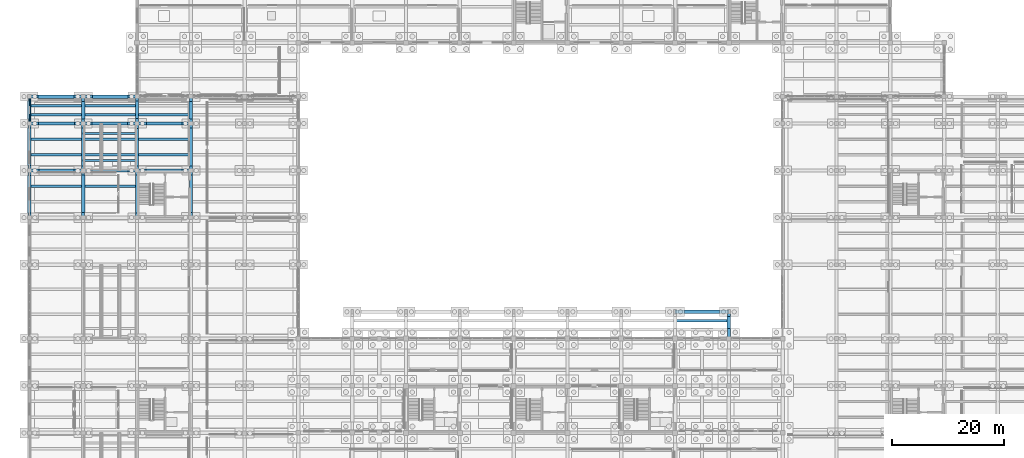
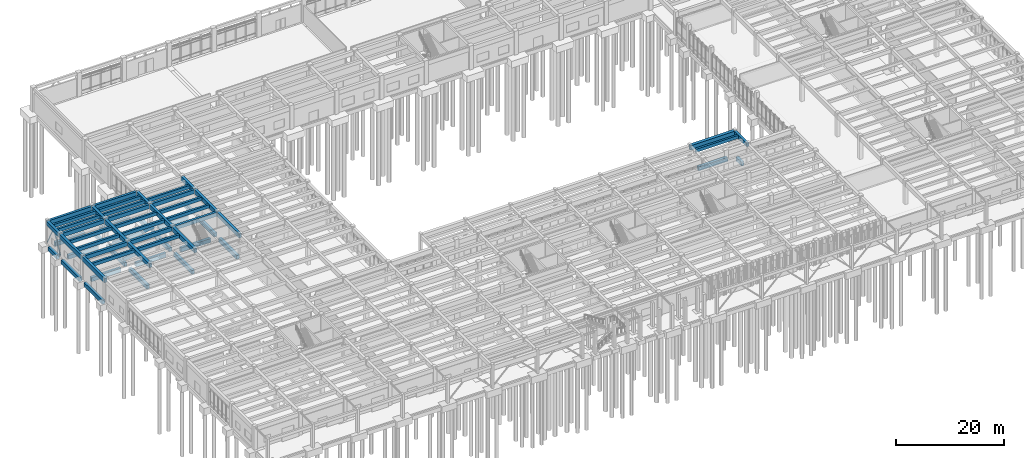
# One storey, part 28 of 102: 60 beams, 2 members.
"""IFC4 building model written with IfcOpenShell, lengths in metres."""

from ifc_helpers import new_model, si_unit, direction, frame, origin, origin_2d, place, context, subcontext, project, spatial, rectangle, hollow_rectangle, extrude, material, material_profile, profile_set, type_object, element, save


model = new_model("IFC4")

# Units and contexts
model_context = context("Model", 3, precision=1e-05, world=origin(), true_north=direction((0.0, 1.0)))
body_context = subcontext(model_context, "Body", "Model", "MODEL_VIEW")
ifc_project = project(units=[si_unit("LENGTHUNIT", "METRE"), si_unit("AREAUNIT", "SQUARE_METRE"), si_unit("VOLUMEUNIT", "CUBIC_METRE"), si_unit("PLANEANGLEUNIT", "RADIAN"), si_unit("MASSUNIT", "GRAM", prefix="KILO")], contexts=[model_context])

# Site, building, storey
site_placement = place(None, origin())
site = spatial("IfcSite", under=ifc_project, at=site_placement, CompositionType="ELEMENT")
building_placement = place(site_placement, origin())
building = spatial("IfcBuilding", under=site, at=building_placement, Name="Kolvemor Railside Polytechnic", CompositionType="ELEMENT")
storey_placement = place(building_placement, origin())
storey = spatial("IfcBuildingStorey", under=building, at=storey_placement, Name="L00", CompositionType="ELEMENT", Elevation=0.0)

# Beams
ifc_material_1 = material(Name="Concrete C40/50", Category="concrete")
ifc_material_profile_1 = material_profile(ifc_material_1, rectangle(XDim=0.550048828125, YDim=0.949951171875, at=origin_2d()), Name="RC550x950")
ifc_profile_set_1 = profile_set([ifc_material_profile_1], Name="Concrete C40/50")
beam_type_1 = type_object("IfcBeamType", Name="BM-RC-GIRD", PredefinedType="BEAM", material=ifc_profile_set_1)
beam_1_placement = place(storey_placement, frame((0.0, 60.0, 4.635009765625), z_axis=(0.0, 1.0, 0.0), x_axis=(-1.0, 0.0, 0.0)))
element("IfcBeam", 1, at=beam_1_placement, inside=storey, type_object=beam_type_1, Name="Primary Girder L01-GY 0057", PredefinedType="BEAM", context=body_context, shape_type="SweptSolid", body=[
    extrude(rectangle(XDim=0.550048828125, YDim=0.949951171875, at=origin_2d()), origin(), (0.0, 0.0, 1.0), 8.39990234375),
])
beam_2_placement = place(storey_placement, frame((0.0, 68.39990234375, 4.635009765625), z_axis=(0.0, 1.0, 0.0), x_axis=(-1.0, 0.0, 0.0)))
element("IfcBeam", 2, at=beam_2_placement, inside=storey, type_object=beam_type_1, Name="Primary Girder L01-GY 0058", PredefinedType="BEAM", context=body_context, shape_type="SweptSolid", body=[
    extrude(rectangle(XDim=0.550048828125, YDim=0.949951171875, at=origin_2d()), origin(), (0.0, 0.0, 1.0), 8.400146484375),
])
beam_3_placement = place(storey_placement, frame((0.0, 76.800048828125, 4.635009765625), z_axis=(0.0, 1.0, 0.0), x_axis=(-1.0, 0.0, 0.0)))
element("IfcBeam", 3, at=beam_3_placement, inside=storey, type_object=beam_type_1, Name="Primary Girder L01-GY 0059", PredefinedType="BEAM", context=body_context, shape_type="SweptSolid", body=[
    extrude(rectangle(XDim=0.550048828125, YDim=0.949951171875, at=origin_2d()), origin(), (0.0, 0.0, 1.0), 4.800048828125),
])
beam_4_placement = place(storey_placement, frame((9.60009765625, 60.0, 4.635009765625), z_axis=(0.0, 1.0, 0.0), x_axis=(-1.0, 0.0, 0.0)))
element("IfcBeam", 4, at=beam_4_placement, inside=storey, type_object=beam_type_1, Name="Primary Girder L01-GY 0066", PredefinedType="BEAM", context=body_context, shape_type="SweptSolid", body=[
    extrude(rectangle(XDim=0.550048828125, YDim=0.949951171875, at=origin_2d()), origin(), (0.0, 0.0, 1.0), 8.39990234375),
])
beam_5_placement = place(storey_placement, frame((9.60009765625, 68.39990234375, 4.635009765625), z_axis=(0.0, 1.0, 0.0), x_axis=(-1.0, 0.0, 0.0)))
element("IfcBeam", 5, at=beam_5_placement, inside=storey, type_object=beam_type_1, Name="Primary Girder L01-GY 0067", PredefinedType="BEAM", context=body_context, shape_type="SweptSolid", body=[
    extrude(rectangle(XDim=0.550048828125, YDim=0.949951171875, at=origin_2d()), origin(), (0.0, 0.0, 1.0), 8.400146484375),
])
beam_6_placement = place(storey_placement, frame((9.60009765625, 76.800048828125, 4.635009765625), z_axis=(0.0, 1.0, 0.0), x_axis=(-1.0, 0.0, 0.0)))
element("IfcBeam", 6, at=beam_6_placement, inside=storey, type_object=beam_type_1, Name="Primary Girder L01-GY 0068", PredefinedType="BEAM", context=body_context, shape_type="SweptSolid", body=[
    extrude(rectangle(XDim=0.550048828125, YDim=0.949951171875, at=origin_2d()), origin(), (0.0, 0.0, 1.0), 4.800048828125),
])
beam_7_placement = place(storey_placement, frame((19.199951171875, 60.0, 4.635009765625), z_axis=(0.0, 1.0, 0.0), x_axis=(-1.0, 0.0, 0.0)))
element("IfcBeam", 7, at=beam_7_placement, inside=storey, type_object=beam_type_1, Name="Primary Girder L01-GY 0075", PredefinedType="BEAM", context=body_context, shape_type="SweptSolid", body=[
    extrude(rectangle(XDim=0.550048828125, YDim=0.949951171875, at=origin_2d()), origin(), (0.0, 0.0, 1.0), 8.39990234375),
])
beam_8_placement = place(storey_placement, frame((19.199951171875, 68.39990234375, 4.635009765625), z_axis=(0.0, 1.0, 0.0), x_axis=(-1.0, 0.0, 0.0)))
element("IfcBeam", 8, at=beam_8_placement, inside=storey, type_object=beam_type_1, Name="Primary Girder L01-GY 0076", PredefinedType="BEAM", context=body_context, shape_type="SweptSolid", body=[
    extrude(rectangle(XDim=0.550048828125, YDim=0.949951171875, at=origin_2d()), origin(), (0.0, 0.0, 1.0), 8.400146484375),
])
beam_9_placement = place(storey_placement, frame((19.199951171875, 76.800048828125, 4.635009765625), z_axis=(0.0, 1.0, 0.0), x_axis=(-1.0, 0.0, 0.0)))
element("IfcBeam", 9, at=beam_9_placement, inside=storey, type_object=beam_type_1, Name="Primary Girder L01-GY 0077", PredefinedType="BEAM", context=body_context, shape_type="SweptSolid", body=[
    extrude(rectangle(XDim=0.550048828125, YDim=0.949951171875, at=origin_2d()), origin(), (0.0, 0.0, 1.0), 4.800048828125),
])
beam_10_placement = place(storey_placement, frame((28.800048828125, 60.0, 4.635009765625), z_axis=(0.0, 1.0, 0.0), x_axis=(-1.0, 0.0, 0.0)))
element("IfcBeam", 10, at=beam_10_placement, inside=storey, type_object=beam_type_1, Name="Primary Girder L01-GY 0084", PredefinedType="BEAM", context=body_context, shape_type="SweptSolid", body=[
    extrude(rectangle(XDim=0.550048828125, YDim=0.949951171875, at=origin_2d()), origin(), (0.0, 0.0, 1.0), 8.39990234375),
])
beam_11_placement = place(storey_placement, frame((28.800048828125, 68.39990234375, 4.635009765625), z_axis=(0.0, 1.0, 0.0), x_axis=(-1.0, 0.0, 0.0)))
element("IfcBeam", 11, at=beam_11_placement, inside=storey, type_object=beam_type_1, Name="Primary Girder L01-GY 0085", PredefinedType="BEAM", context=body_context, shape_type="SweptSolid", body=[
    extrude(rectangle(XDim=0.550048828125, YDim=0.949951171875, at=origin_2d()), origin(), (0.0, 0.0, 1.0), 8.400146484375),
])
beam_12_placement = place(storey_placement, frame((28.800048828125, 76.800048828125, 4.635009765625), z_axis=(0.0, 1.0, 0.0), x_axis=(-1.0, 0.0, 0.0)))
element("IfcBeam", 12, at=beam_12_placement, inside=storey, type_object=beam_type_1, Name="Primary Girder L01-GY 0086", PredefinedType="BEAM", context=body_context, shape_type="SweptSolid", body=[
    extrude(rectangle(XDim=0.550048828125, YDim=0.949951171875, at=origin_2d()), origin(), (0.0, 0.0, 1.0), 4.800048828125),
])
ifc_material_2 = material(Name="Concrete C40/50", Category="concrete")
ifc_material_profile_2 = material_profile(ifc_material_2, rectangle(XDim=0.64990234375, YDim=1.050048828125, at=origin_2d()), Name="RC650x1050")
ifc_profile_set_2 = profile_set([ifc_material_profile_2], Name="Concrete C40/50")
beam_type_2 = type_object("IfcBeamType", Name="BM-RC-GIRD2", PredefinedType="BEAM", material=ifc_profile_set_2)
beam_13_placement = place(storey_placement, frame((115.199951171875, 43.199951171875, 4.5849609375), z_axis=(1.0, 0.0, 0.0), x_axis=(0.0, 1.0, 0.0)))
element("IfcBeam", 13, at=beam_13_placement, inside=storey, type_object=beam_type_2, Name="Primary Girder L01-GX 1841", PredefinedType="BEAM", context=body_context, shape_type="SweptSolid", body=[
    extrude(rectangle(XDim=0.64990234375, YDim=1.050048828125, at=origin_2d()), origin(), (0.0, 0.0, 1.0), 9.60009765625),
])
ifc_material_3 = material(Name="Concrete C40/50", Category="concrete")
ifc_material_profile_3 = material_profile(ifc_material_3, rectangle(XDim=0.5, YDim=0.85009765625, at=origin_2d()), Name="RC500x850")
ifc_profile_set_3 = profile_set([ifc_material_profile_3], Name="Concrete C40/50")
beam_type_3 = type_object("IfcBeamType", Name="BM-RC-GIRD3", PredefinedType="BEAM", material=ifc_profile_set_3)
beam_14_placement = place(storey_placement, frame((124.800048828125, 38.39990234375, 4.68505859375), z_axis=(0.0, 1.0, 0.0), x_axis=(-1.0, 0.0, 0.0)))
element("IfcBeam", 14, at=beam_14_placement, inside=storey, type_object=beam_type_3, Name="Primary Girder L01-GY 1849", PredefinedType="BEAM", context=body_context, shape_type="SweptSolid", body=[
    extrude(rectangle(XDim=0.5, YDim=0.85009765625, at=origin_2d()), origin(), (0.0, 0.0, 1.0), 4.800048828125),
])
ifc_material_4 = material(Name="Concrete C40/50", Category="concrete")
ifc_material_profile_4 = material_profile(ifc_material_4, rectangle(XDim=0.5, YDim=0.89990234375, at=origin_2d()), Name="RC500x900")
ifc_profile_set_4 = profile_set([ifc_material_profile_4], Name="Concrete C40/50")
beam_type_4 = type_object("IfcBeamType", Name="BM-RC-GIRD4", PredefinedType="BEAM", material=ifc_profile_set_4)
beam_15_placement = place(storey_placement, frame((0.0, 68.39990234375, 4.659912109375), z_axis=(1.0, 0.0, 0.0), x_axis=(0.0, 1.0, 0.0)))
element("IfcBeam", 15, at=beam_15_placement, inside=storey, type_object=beam_type_4, Name="Primary Girder L01-GX 0036", PredefinedType="BEAM", context=body_context, shape_type="SweptSolid", body=[
    extrude(rectangle(XDim=0.5, YDim=0.89990234375, at=origin_2d()), origin(), (0.0, 0.0, 1.0), 9.60009765625),
])
beam_16_placement = place(storey_placement, frame((9.60009765625, 68.39990234375, 4.659912109375), z_axis=(1.0, 0.0, 0.0), x_axis=(0.0, 1.0, 0.0)))
element("IfcBeam", 16, at=beam_16_placement, inside=storey, type_object=beam_type_4, Name="Primary Girder L01-GX 0037", PredefinedType="BEAM", context=body_context, shape_type="SweptSolid", body=[
    extrude(rectangle(XDim=0.5, YDim=0.89990234375, at=origin_2d()), origin(), (0.0, 0.0, 1.0), 9.599853515625),
])
for number, where, z_axis, x_axis, name in (
    (17, (19.199951171875, 68.39990234375, 4.659912109375), (1.0, 0.0, 0.0), (0.0, 1.0, 0.0), "Primary Girder L01-GX 0038"),
    (18, (0.0, 76.800048828125, 4.659912109375), (1.0, 0.0, 0.0), (0.0, 1.0, 0.0), "Primary Girder L01-GX 0041"),
):
    element("IfcBeam", number, at=place(storey_placement, frame(where, z_axis=z_axis, x_axis=x_axis)), inside=storey, type_object=beam_type_4, Name=name, PredefinedType="BEAM", context=body_context, shape_type="SweptSolid", body=[
        extrude(rectangle(XDim=0.5, YDim=0.89990234375, at=origin_2d()), origin(), (0.0, 0.0, 1.0), 9.60009765625),
    ])
beam_17_placement = place(storey_placement, frame((9.60009765625, 76.800048828125, 4.659912109375), z_axis=(1.0, 0.0, 0.0), x_axis=(0.0, 1.0, 0.0)))
element("IfcBeam", 19, at=beam_17_placement, inside=storey, type_object=beam_type_4, Name="Primary Girder L01-GX 0042", PredefinedType="BEAM", context=body_context, shape_type="SweptSolid", body=[
    extrude(rectangle(XDim=0.5, YDim=0.89990234375, at=origin_2d()), origin(), (0.0, 0.0, 1.0), 9.599853515625),
])
for number, where, z_axis, x_axis, name in (
    (20, (19.199951171875, 76.800048828125, 4.659912109375), (1.0, 0.0, 0.0), (0.0, 1.0, 0.0), "Primary Girder L01-GX 0043"),
    (21, (0.0, 81.60009765625, 4.659912109375), (1.0, 0.0, 0.0), (0.0, 1.0, 0.0), "Primary Girder L01-GX 0046"),
):
    element("IfcBeam", number, at=place(storey_placement, frame(where, z_axis=z_axis, x_axis=x_axis)), inside=storey, type_object=beam_type_4, Name=name, PredefinedType="BEAM", context=body_context, shape_type="SweptSolid", body=[
        extrude(rectangle(XDim=0.5, YDim=0.89990234375, at=origin_2d()), origin(), (0.0, 0.0, 1.0), 9.60009765625),
    ])
beam_18_placement = place(storey_placement, frame((9.60009765625, 81.60009765625, 4.659912109375), z_axis=(1.0, 0.0, 0.0), x_axis=(0.0, 1.0, 0.0)))
element("IfcBeam", 22, at=beam_18_placement, inside=storey, type_object=beam_type_4, Name="Primary Girder L01-GX 0047", PredefinedType="BEAM", context=body_context, shape_type="SweptSolid", body=[
    extrude(rectangle(XDim=0.5, YDim=0.89990234375, at=origin_2d()), origin(), (0.0, 0.0, 1.0), 9.599853515625),
])
ifc_material_5 = material(Name="Concrete C40/50", Category="concrete")
ifc_material_profile_5 = material_profile(ifc_material_5, rectangle(XDim=0.39990234375, YDim=0.800048828125, at=origin_2d()), Name="RC400x800")
ifc_profile_set_5 = profile_set([ifc_material_profile_5], Name="Concrete C40/50")
beam_type_5 = type_object("IfcBeamType", Name="BM-RC-RAKER", PredefinedType="BEAM", material=ifc_profile_set_5)
for number, where, z_axis, x_axis, name in (
    (23, (9.60009765625, 70.199951171875, -0.10009765625), (0.990765911477, 0.0, 0.135583585491), (0.0, 1.0, 0.0), "Lecture Raker Beam RK-3-1"),
    (24, (9.60009765625, 75.0, -0.10009765625), (0.990765911477, 0.0, 0.135583585491), (0.0, 1.0, 0.0), "Lecture Raker Beam RK-3-2"),
):
    element("IfcBeam", number, at=place(storey_placement, frame(where, z_axis=z_axis, x_axis=x_axis)), inside=storey, type_object=beam_type_5, Name=name, PredefinedType="BEAM", context=body_context, shape_type="SweptSolid", body=[
        extrude(rectangle(XDim=0.39990234375, YDim=0.800048828125, at=origin_2d()), origin(), (0.0, 0.0, 1.0), 9.588623046875),
    ])
ifc_material_6 = material(Name="Concrete C40/50", Category="concrete")
ifc_material_profile_6 = material_profile(ifc_material_6, rectangle(XDim=0.449951171875, YDim=0.75, at=origin_2d()), Name="RC450x750")
ifc_profile_set_6 = profile_set([ifc_material_profile_6], Name="Concrete C40/50")
beam_type_6 = type_object("IfcBeamType", Name="BM-RC-SEC", PredefinedType="JOIST", material=ifc_profile_set_6)
for number, where, z_axis, x_axis, name in (
    (25, (0.27490234375, 65.60009765625, 4.735107421875), (1.0, 0.0, 0.0), (0.0, 1.0, 0.0), "Floor Joist L01-J0118"),
    (26, (0.27490234375, 71.199951171875, 4.735107421875), (1.0, 0.0, 0.0), (0.0, 1.0, 0.0), "Floor Joist L01-J0119"),
    (27, (0.27490234375, 74.0, 4.735107421875), (1.0, 0.0, 0.0), (0.0, 1.0, 0.0), "Floor Joist L01-J0120"),
    (28, (0.27490234375, 78.39990234375, 4.735107421875), (1.0, 0.0, 0.0), (0.0, 1.0, 0.0), "Floor Joist L01-J0121"),
    (29, (0.27490234375, 80.0, 4.735107421875), (1.0, 0.0, 0.0), (0.0, 1.0, 0.0), "Floor Joist L01-J0122"),
    (30, (9.875, 65.60009765625, 4.735107421875), (1.0, 0.0, 0.0), (0.0, 1.0, 0.0), "Floor Joist L01-J0136"),
    (31, (9.875, 71.199951171875, 4.735107421875), (1.0, 0.0, 0.0), (0.0, 1.0, 0.0), "Floor Joist L01-J0137"),
    (32, (9.875, 74.0, 4.735107421875), (1.0, 0.0, 0.0), (0.0, 1.0, 0.0), "Floor Joist L01-J0138"),
    (33, (9.875, 78.39990234375, 4.735107421875), (1.0, 0.0, 0.0), (0.0, 1.0, 0.0), "Floor Joist L01-J0139"),
    (34, (9.875, 80.0, 4.735107421875), (1.0, 0.0, 0.0), (0.0, 1.0, 0.0), "Floor Joist L01-J0140"),
):
    element("IfcBeam", number, at=place(storey_placement, frame(where, z_axis=z_axis, x_axis=x_axis)), inside=storey, type_object=beam_type_6, Name=name, PredefinedType="JOIST", context=body_context, shape_type="SweptSolid", body=[
        extrude(rectangle(XDim=0.449951171875, YDim=0.75, at=origin_2d()), origin(), (0.0, 0.0, 1.0), 9.050048828125),
    ])
for number, where, z_axis, x_axis, name in (
    (35, (19.47509765625, 71.199951171875, 4.735107421875), (1.0, 0.0, 0.0), (0.0, 1.0, 0.0), "Floor Joist L01-J0151"),
    (36, (19.47509765625, 74.0, 4.735107421875), (1.0, 0.0, 0.0), (0.0, 1.0, 0.0), "Floor Joist L01-J0152"),
    (37, (19.47509765625, 78.39990234375, 4.735107421875), (1.0, 0.0, 0.0), (0.0, 1.0, 0.0), "Floor Joist L01-J0153"),
):
    element("IfcBeam", number, at=place(storey_placement, frame(where, z_axis=z_axis, x_axis=x_axis)), inside=storey, type_object=beam_type_6, Name=name, PredefinedType="JOIST", context=body_context, shape_type="SweptSolid", body=[
        extrude(rectangle(XDim=0.449951171875, YDim=0.75, at=origin_2d()), origin(), (0.0, 0.0, 1.0), 9.0498046875),
    ])
ifc_material_7 = material(Name="Concrete C40/50", Category="concrete")
ifc_material_profile_7 = material_profile(ifc_material_7, rectangle(XDim=0.449951171875, YDim=0.699951171875, at=origin_2d()), Name="RC450x700")
ifc_profile_set_7 = profile_set([ifc_material_profile_7], Name="Concrete C40/50")
beam_type_7 = type_object("IfcBeamType", Name="BM-RC-SEC2", PredefinedType="JOIST", material=ifc_profile_set_7)
beam_19_placement = place(storey_placement, frame((115.449951171875, 41.60009765625, 4.760009765625), z_axis=(1.0, 0.0, 0.0), x_axis=(0.0, 1.0, 0.0)))
element("IfcBeam", 38, at=beam_19_placement, inside=storey, type_object=beam_type_7, Name="Floor Joist L01-J1863", PredefinedType="JOIST", context=body_context, shape_type="SweptSolid", body=[
    extrude(rectangle(XDim=0.449951171875, YDim=0.699951171875, at=origin_2d()), origin(), (0.0, 0.0, 1.0), 9.10009765625),
])
ifc_material_8 = material(Name="Concrete C40/50", Category="concrete")
ifc_material_profile_8 = material_profile(ifc_material_8, rectangle(XDim=0.60009765625, YDim=0.89990234375, at=origin_2d()), Name="RC600x900")
ifc_profile_set_8 = profile_set([ifc_material_profile_8], Name="Concrete C40/50")
beam_type_8 = type_object("IfcBeamType", Name="BM-RC-TIE", PredefinedType="BEAM", material=ifc_profile_set_8)
beam_20_placement = place(storey_placement, frame((116.876953125, 43.199951171875, -0.75), z_axis=(1.0, 0.0, 0.0), x_axis=(0.0, 1.0, 0.0)))
element("IfcBeam", 39, at=beam_20_placement, inside=storey, type_object=beam_type_8, Name="Ground Tie Beam GTB-X134", PredefinedType="BEAM", context=body_context, shape_type="SweptSolid", body=[
    extrude(rectangle(XDim=0.60009765625, YDim=0.89990234375, at=origin_2d()), origin(), (0.0, 0.0, 1.0), 6.24609375),
])
beam_21_placement = place(storey_placement, frame((1.677001953125, 68.39990234375, -0.75), z_axis=(1.0, 0.0, 0.0), x_axis=(0.0, 1.0, 0.0)))
element("IfcBeam", 40, at=beam_21_placement, inside=storey, type_object=beam_type_8, Name="Ground Tie Beam GTB-X155", PredefinedType="BEAM", context=body_context, shape_type="SweptSolid", body=[
    extrude(rectangle(XDim=0.60009765625, YDim=0.89990234375, at=origin_2d()), origin(), (0.0, 0.0, 1.0), 6.321044921875),
])
beam_22_placement = place(storey_placement, frame((11.201904296875, 68.39990234375, -0.75), z_axis=(1.0, 0.0, 0.0), x_axis=(0.0, 1.0, 0.0)))
element("IfcBeam", 41, at=beam_22_placement, inside=storey, type_object=beam_type_8, Name="Ground Tie Beam GTB-X156", PredefinedType="BEAM", context=body_context, shape_type="SweptSolid", body=[
    extrude(rectangle(XDim=0.60009765625, YDim=0.89990234375, at=origin_2d()), origin(), (0.0, 0.0, 1.0), 6.421142578125),
])
for number, where, z_axis, x_axis, name in (
    (42, (20.777099609375, 68.39990234375, -0.75), (1.0, 0.0, 0.0), (0.0, 1.0, 0.0), "Ground Tie Beam GTB-X157"),
    (43, (1.60205078125, 76.800048828125, -0.75), (1.0, 0.0, 0.0), (0.0, 1.0, 0.0), "Ground Tie Beam GTB-X165"),
):
    element("IfcBeam", number, at=place(storey_placement, frame(where, z_axis=z_axis, x_axis=x_axis)), inside=storey, type_object=beam_type_8, Name=name, PredefinedType="BEAM", context=body_context, shape_type="SweptSolid", body=[
        extrude(rectangle(XDim=0.60009765625, YDim=0.89990234375, at=origin_2d()), origin(), (0.0, 0.0, 1.0), 6.4208984375),
    ])
beam_23_placement = place(storey_placement, frame((11.177001953125, 76.800048828125, -0.75), z_axis=(1.0, 0.0, 0.0), x_axis=(0.0, 1.0, 0.0)))
element("IfcBeam", 44, at=beam_23_placement, inside=storey, type_object=beam_type_8, Name="Ground Tie Beam GTB-X166", PredefinedType="BEAM", context=body_context, shape_type="SweptSolid", body=[
    extrude(rectangle(XDim=0.60009765625, YDim=0.89990234375, at=origin_2d()), origin(), (0.0, 0.0, 1.0), 6.37109375),
])
beam_24_placement = place(storey_placement, frame((20.85205078125, 76.800048828125, -0.75), z_axis=(1.0, 0.0, 0.0), x_axis=(0.0, 1.0, 0.0)))
element("IfcBeam", 45, at=beam_24_placement, inside=storey, type_object=beam_type_8, Name="Ground Tie Beam GTB-X167", PredefinedType="BEAM", context=body_context, shape_type="SweptSolid", body=[
    extrude(rectangle(XDim=0.60009765625, YDim=0.89990234375, at=origin_2d()), origin(), (0.0, 0.0, 1.0), 6.370849609375),
])
beam_25_placement = place(storey_placement, frame((1.576904296875, 81.60009765625, -0.75), z_axis=(1.0, 0.0, 0.0), x_axis=(0.0, 1.0, 0.0)))
element("IfcBeam", 46, at=beam_25_placement, inside=storey, type_object=beam_type_8, Name="Ground Tie Beam GTB-X175", PredefinedType="BEAM", context=body_context, shape_type="SweptSolid", body=[
    extrude(rectangle(XDim=0.60009765625, YDim=0.89990234375, at=origin_2d()), origin(), (0.0, 0.0, 1.0), 6.37109375),
])
beam_26_placement = place(storey_placement, frame((11.251953125, 81.60009765625, -0.75), z_axis=(1.0, 0.0, 0.0), x_axis=(0.0, 1.0, 0.0)))
element("IfcBeam", 47, at=beam_26_placement, inside=storey, type_object=beam_type_8, Name="Ground Tie Beam GTB-X176", PredefinedType="BEAM", context=body_context, shape_type="SweptSolid", body=[
    extrude(rectangle(XDim=0.60009765625, YDim=0.89990234375, at=origin_2d()), origin(), (0.0, 0.0, 1.0), 6.321044921875),
])
beam_27_placement = place(storey_placement, frame((0.0, 60.826904296875, -0.75), z_axis=(0.0, 1.0, 0.0), x_axis=(-1.0, 0.0, 0.0)))
element("IfcBeam", 48, at=beam_27_placement, inside=storey, type_object=beam_type_8, Name="Ground Tie Beam GTB-Y235", PredefinedType="BEAM", context=body_context, shape_type="SweptSolid", body=[
    extrude(rectangle(XDim=0.60009765625, YDim=0.89990234375, at=origin_2d()), origin(), (0.0, 0.0, 1.0), 6.696044921875),
])
beam_28_placement = place(storey_placement, frame((0.0, 69.277099609375, -0.75), z_axis=(0.0, 1.0, 0.0), x_axis=(-1.0, 0.0, 0.0)))
element("IfcBeam", 49, at=beam_28_placement, inside=storey, type_object=beam_type_8, Name="Ground Tie Beam GTB-Y236", PredefinedType="BEAM", context=body_context, shape_type="SweptSolid", body=[
    extrude(rectangle(XDim=0.60009765625, YDim=0.89990234375, at=origin_2d()), origin(), (0.0, 0.0, 1.0), 6.69580078125),
])
beam_29_placement = place(storey_placement, frame((0.0, 77.626953125, -0.75), z_axis=(0.0, 1.0, 0.0), x_axis=(-1.0, 0.0, 0.0)))
element("IfcBeam", 50, at=beam_29_placement, inside=storey, type_object=beam_type_8, Name="Ground Tie Beam GTB-Y237", PredefinedType="BEAM", context=body_context, shape_type="SweptSolid", body=[
    extrude(rectangle(XDim=0.60009765625, YDim=0.89990234375, at=origin_2d()), origin(), (0.0, 0.0, 1.0), 3.171142578125),
])
beam_30_placement = place(storey_placement, frame((9.60009765625, 60.876953125, -0.75), z_axis=(0.0, 1.0, 0.0), x_axis=(-1.0, 0.0, 0.0)))
element("IfcBeam", 51, at=beam_30_placement, inside=storey, type_object=beam_type_8, Name="Ground Tie Beam GTB-Y245", PredefinedType="BEAM", context=body_context, shape_type="SweptSolid", body=[
    extrude(rectangle(XDim=0.60009765625, YDim=0.89990234375, at=origin_2d()), origin(), (0.0, 0.0, 1.0), 6.696044921875),
])
beam_31_placement = place(storey_placement, frame((9.60009765625, 69.22705078125, -0.75), z_axis=(0.0, 1.0, 0.0), x_axis=(-1.0, 0.0, 0.0)))
element("IfcBeam", 52, at=beam_31_placement, inside=storey, type_object=beam_type_8, Name="Ground Tie Beam GTB-Y246", PredefinedType="BEAM", context=body_context, shape_type="SweptSolid", body=[
    extrude(rectangle(XDim=0.60009765625, YDim=0.89990234375, at=origin_2d()), origin(), (0.0, 0.0, 1.0), 6.77099609375),
])
beam_32_placement = place(storey_placement, frame((9.60009765625, 77.60205078125, -0.75), z_axis=(0.0, 1.0, 0.0), x_axis=(-1.0, 0.0, 0.0)))
element("IfcBeam", 53, at=beam_32_placement, inside=storey, type_object=beam_type_8, Name="Ground Tie Beam GTB-Y247", PredefinedType="BEAM", context=body_context, shape_type="SweptSolid", body=[
    extrude(rectangle(XDim=0.60009765625, YDim=0.89990234375, at=origin_2d()), origin(), (0.0, 0.0, 1.0), 3.14599609375),
])
beam_33_placement = place(storey_placement, frame((19.199951171875, 60.826904296875, -0.75), z_axis=(0.0, 1.0, 0.0), x_axis=(-1.0, 0.0, 0.0)))
element("IfcBeam", 54, at=beam_33_placement, inside=storey, type_object=beam_type_8, Name="Ground Tie Beam GTB-Y255", PredefinedType="BEAM", context=body_context, shape_type="SweptSolid", body=[
    extrude(rectangle(XDim=0.60009765625, YDim=0.89990234375, at=origin_2d()), origin(), (0.0, 0.0, 1.0), 6.77099609375),
])
beam_34_placement = place(storey_placement, frame((19.199951171875, 69.201904296875, -0.75), z_axis=(0.0, 1.0, 0.0), x_axis=(-1.0, 0.0, 0.0)))
element("IfcBeam", 55, at=beam_34_placement, inside=storey, type_object=beam_type_8, Name="Ground Tie Beam GTB-Y256", PredefinedType="BEAM", context=body_context, shape_type="SweptSolid", body=[
    extrude(rectangle(XDim=0.60009765625, YDim=0.89990234375, at=origin_2d()), origin(), (0.0, 0.0, 1.0), 6.74609375),
])
beam_35_placement = place(storey_placement, frame((19.199951171875, 77.652099609375, -0.75), z_axis=(0.0, 1.0, 0.0), x_axis=(-1.0, 0.0, 0.0)))
element("IfcBeam", 56, at=beam_35_placement, inside=storey, type_object=beam_type_8, Name="Ground Tie Beam GTB-Y257", PredefinedType="BEAM", context=body_context, shape_type="SweptSolid", body=[
    extrude(rectangle(XDim=0.60009765625, YDim=0.89990234375, at=origin_2d()), origin(), (0.0, 0.0, 1.0), 3.120849609375),
])
beam_36_placement = place(storey_placement, frame((28.800048828125, 60.876953125, -0.75), z_axis=(0.0, 1.0, 0.0), x_axis=(-1.0, 0.0, 0.0)))
element("IfcBeam", 57, at=beam_36_placement, inside=storey, type_object=beam_type_8, Name="Ground Tie Beam GTB-Y268", PredefinedType="BEAM", context=body_context, shape_type="SweptSolid", body=[
    extrude(rectangle(XDim=0.60009765625, YDim=0.89990234375, at=origin_2d()), origin(), (0.0, 0.0, 1.0), 6.696044921875),
])
beam_37_placement = place(storey_placement, frame((28.800048828125, 69.22705078125, -0.75), z_axis=(0.0, 1.0, 0.0), x_axis=(-1.0, 0.0, 0.0)))
element("IfcBeam", 58, at=beam_37_placement, inside=storey, type_object=beam_type_8, Name="Ground Tie Beam GTB-Y269", PredefinedType="BEAM", context=body_context, shape_type="SweptSolid", body=[
    extrude(rectangle(XDim=0.60009765625, YDim=0.89990234375, at=origin_2d()), origin(), (0.0, 0.0, 1.0), 6.77099609375),
])
beam_38_placement = place(storey_placement, frame((28.800048828125, 77.60205078125, -0.75), z_axis=(0.0, 1.0, 0.0), x_axis=(-1.0, 0.0, 0.0)))
element("IfcBeam", 59, at=beam_38_placement, inside=storey, type_object=beam_type_8, Name="Ground Tie Beam GTB-Y270", PredefinedType="BEAM", context=body_context, shape_type="SweptSolid", body=[
    extrude(rectangle(XDim=0.60009765625, YDim=0.89990234375, at=origin_2d()), origin(), (0.0, 0.0, 1.0), 3.14599609375),
])
beam_39_placement = place(storey_placement, frame((124.800048828125, 40.251953125, -0.75), z_axis=(0.0, 1.0, 0.0), x_axis=(-1.0, 0.0, 0.0)))
element("IfcBeam", 60, at=beam_39_placement, inside=storey, type_object=beam_type_8, Name="Ground Tie Beam GTB-Y375", PredefinedType="BEAM", context=body_context, shape_type="SweptSolid", body=[
    extrude(rectangle(XDim=0.60009765625, YDim=0.89990234375, at=origin_2d()), origin(), (0.0, 0.0, 1.0), 2.071044921875),
])

# Members
ifc_material_9 = material(Name="Steel S355", Category="steel")
ifc_material_profile_9 = material_profile(ifc_material_9, hollow_rectangle(XDim=0.1201171875, YDim=0.199951171875, WallThickness=0.008056640625, InnerFilletRadius=0.008056640625, OuterFilletRadius=0.01611328125, at=origin_2d()), Name="HSS200x120x8")
ifc_profile_set_9 = profile_set([ifc_material_profile_9], Name="Steel S355")
member_type = type_object("IfcMemberType", Name="MEM-BR-HSS2", PredefinedType="BRACE", material=ifc_profile_set_9)
member_1_placement = place(storey_placement, frame((0.0, 76.800048828125, 0.14990234375), z_axis=(0.0, 0.457838355201, 0.889035455146), x_axis=(-1.0, 0.0, 0.0)))
element("IfcMember", 61, at=member_1_placement, inside=storey, type_object=member_type, Name="Wind Chevron Brace BR-05A", PredefinedType="BRACE", context=body_context, shape_type="SweptSolid", body=[
    extrude(hollow_rectangle(XDim=0.1201171875, YDim=0.199951171875, WallThickness=0.008056640625, InnerFilletRadius=0.008056640625, OuterFilletRadius=0.01611328125, at=origin_2d()), origin(), (0.0, 0.0, 1.0), 5.24169921875),
])
member_2_placement = place(storey_placement, frame((0.0, 81.60009765625, 0.14990234375), z_axis=(0.0, -0.457875166651, 0.889016496902), x_axis=(1.0, 0.0, 0.0)))
element("IfcMember", 62, at=member_2_placement, inside=storey, type_object=member_type, Name="Wind Chevron Brace BR-05B", PredefinedType="BRACE", context=body_context, shape_type="SweptSolid", body=[
    extrude(hollow_rectangle(XDim=0.1201171875, YDim=0.199951171875, WallThickness=0.008056640625, InnerFilletRadius=0.008056640625, OuterFilletRadius=0.01611328125, at=origin_2d()), origin(), (0.0, 0.0, 1.0), 5.241943359375),
])

save(model, "model.ifc")
